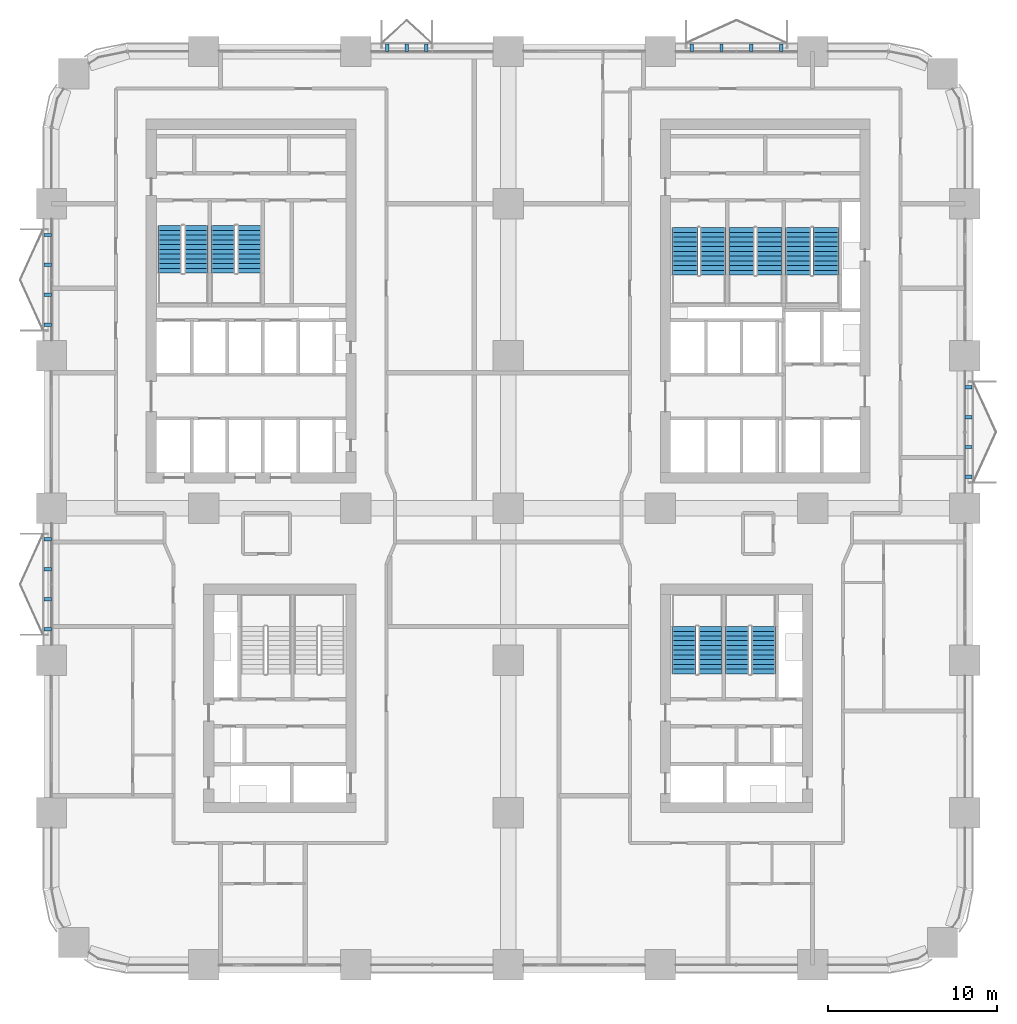
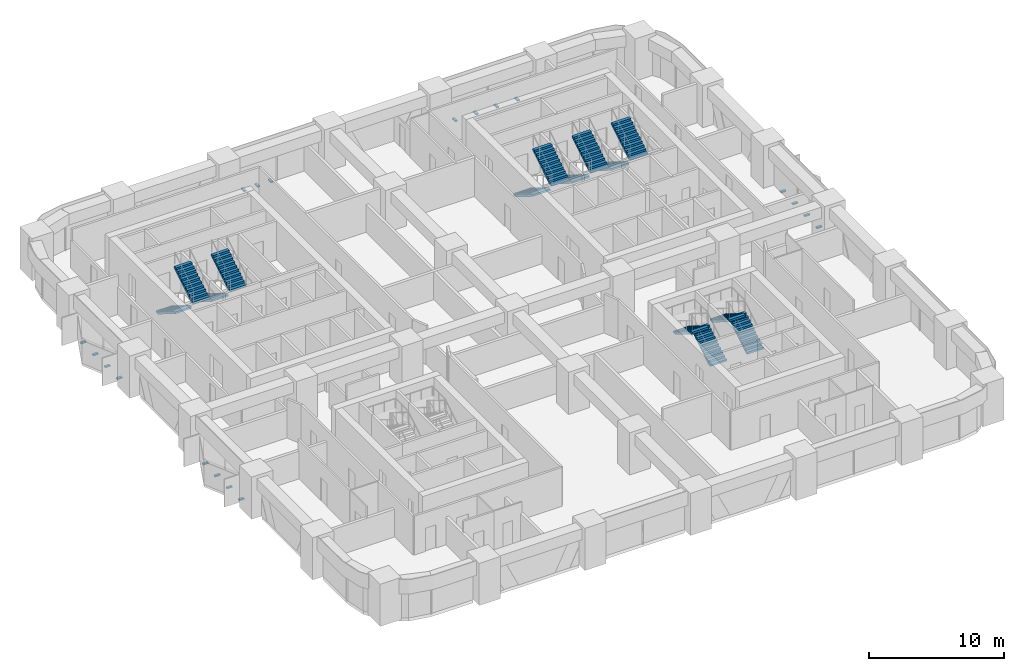
# One storey, part 18 of 21: 19 discrete accessories, 14 stair flights, 7 elements without a shape of their own.
"""IFC4 building model written with IfcOpenShell, lengths in metres."""

from ifc_helpers import new_model, si_unit, direction, frame, origin, origin_2d, place, context, subcontext, project, spatial, polyline, rectangle, outline, extrude, material, type_object, element, aggregate, save


model = new_model("IFC4")

# Units and contexts
model_context = context("Model", 3, precision=1e-05, world=origin(), true_north=direction((0.0, 1.0)))
body_context = subcontext(model_context, "Body", "Model", "MODEL_VIEW")
ifc_project = project(units=[si_unit("LENGTHUNIT", "METRE"), si_unit("AREAUNIT", "SQUARE_METRE"), si_unit("VOLUMEUNIT", "CUBIC_METRE"), si_unit("PLANEANGLEUNIT", "RADIAN"), si_unit("MASSUNIT", "GRAM", prefix="KILO")], contexts=[model_context])

# Site, building, storey
site_placement = place(None, origin())
site = spatial("IfcSite", under=ifc_project, at=site_placement, CompositionType="ELEMENT")
building_placement = place(site_placement, origin())
building = spatial("IfcBuilding", under=site, at=building_placement, Name="Tessera Arch", CompositionType="ELEMENT")
storey_placement = place(building_placement, frame((0.0, 0.0, 42.39990234375)))
storey = spatial("IfcBuildingStorey", under=building, at=storey_placement, Name="L08", CompositionType="ELEMENT", Elevation=42.39990234375)

# Stair, stair flights
ifc_material_1 = material(Name="Concrete C40/50", Category="concrete")
stair_type_1 = type_object("IfcStairType", Name="Dogleg stair 1400", PredefinedType="HALF_TURN_STAIR", material=ifc_material_1)
stair_1_placement = place(storey_placement, origin())
stair_1 = element("IfcStair", 1, at=stair_1_placement, inside=storey, type_object=stair_type_1, Name="L08 S2a", PredefinedType="HALF_TURN_STAIR")
ifc_material_2 = material(Name="Concrete C40/50", Category="concrete")
stair_flight_type_1 = type_object("IfcStairFlightType", Name="Stair flight 1400", PredefinedType="STRAIGHT", material=ifc_material_2)
stair_flight_1_placement = place(storey_placement, frame((7.0, 43.699951171875, 0.0), z_axis=(0.0, 0.0, 1.0), x_axis=(0.0, -1.0, 0.0)))
stair_flight_1 = element("IfcStairFlight", 2, at=stair_flight_1_placement, type_object=stair_flight_type_1, Name="S2a flight 1", NumberOfRisers=11, NumberOfTreads=10, PredefinedType="STRAIGHT", RiserHeight=0.172727273, TreadLength=0.28, context=body_context, shape_type="SweptSolid", body=[
    extrude(outline(polyline([(0.0, 0.0), (0.0, 0.172607421875), (0.280029296875, 0.172607421875), (0.280029296875, 0.345458984375), (0.56005859375, 0.345458984375), (0.56005859375, 0.51806640625), (0.840087890625, 0.51806640625), (0.840087890625, 0.69091796875), (1.1201171875, 0.69091796875), (1.1201171875, 0.863525390625), (1.39990234375, 0.863525390625), (1.39990234375, 1.036376953125), (1.679931640625, 1.036376953125), (1.679931640625, 1.208984375), (1.9599609375, 1.208984375), (1.9599609375, 1.3818359375), (2.239990234375, 1.3818359375), (2.239990234375, 1.554443359375), (2.52001953125, 1.554443359375), (2.52001953125, 1.727294921875), (2.800048828125, 1.727294921875), (2.800048828125, 1.89990234375), (2.800048828125, 1.551025390625), (0.285400390625, 0.0), (0.0, 0.0)])), frame((0.0, 0.699951171875, 0.0), z_axis=(0.0, -1.0, 0.0), x_axis=(1.0, 0.0, 0.0)), (0.0, 0.0, 1.0), 1.39990234375),
])
stair_flight_2_placement = place(storey_placement, frame((8.550048828125, 40.89990234375, 1.900146484375), z_axis=(0.0, 0.0, 1.0), x_axis=(0.0, 1.0, 0.0)))
stair_flight_2 = element("IfcStairFlight", 3, at=stair_flight_2_placement, type_object=stair_flight_type_1, Name="S2a flight 2", NumberOfRisers=11, NumberOfTreads=10, PredefinedType="STRAIGHT", RiserHeight=0.172727273, TreadLength=0.28, context=body_context, shape_type="SweptSolid", body=[
    extrude(outline(polyline([(0.0, 0.0), (0.0, 0.172607421875), (0.280029296875, 0.172607421875), (0.280029296875, 0.345458984375), (0.56005859375, 0.345458984375), (0.56005859375, 0.51806640625), (0.840087890625, 0.51806640625), (0.840087890625, 0.69091796875), (1.1201171875, 0.69091796875), (1.1201171875, 0.863525390625), (1.39990234375, 0.863525390625), (1.39990234375, 1.036376953125), (1.679931640625, 1.036376953125), (1.679931640625, 1.208984375), (1.9599609375, 1.208984375), (1.9599609375, 1.3818359375), (2.239990234375, 1.3818359375), (2.239990234375, 1.554443359375), (2.52001953125, 1.554443359375), (2.52001953125, 1.727294921875), (2.800048828125, 1.727294921875), (2.800048828125, 1.89990234375), (2.800048828125, 1.551025390625), (0.285400390625, 0.0), (0.0, 0.0)])), frame((0.0, 0.699951171875, 0.0), z_axis=(0.0, -1.0, 0.0), x_axis=(1.0, 0.0, 0.0)), (0.0, 0.0, 1.0), 1.39990234375),
])
aggregate(stair_1, [stair_flight_1, stair_flight_2])

stair_2_placement = place(storey_placement, origin())
stair_2 = element("IfcStair", 4, at=stair_2_placement, inside=storey, type_object=stair_type_1, Name="L08 S2b", PredefinedType="HALF_TURN_STAIR")
stair_flight_3_placement = place(storey_placement, frame((10.14990234375, 43.699951171875, 0.0), z_axis=(0.0, 0.0, 1.0), x_axis=(0.0, -1.0, 0.0)))
stair_flight_3 = element("IfcStairFlight", 5, at=stair_flight_3_placement, type_object=stair_flight_type_1, Name="S2b flight 1", NumberOfRisers=11, NumberOfTreads=10, PredefinedType="STRAIGHT", RiserHeight=0.172727273, TreadLength=0.28, context=body_context, shape_type="SweptSolid", body=[
    extrude(outline(polyline([(0.0, 0.0), (0.0, 0.172607421875), (0.280029296875, 0.172607421875), (0.280029296875, 0.345458984375), (0.56005859375, 0.345458984375), (0.56005859375, 0.51806640625), (0.840087890625, 0.51806640625), (0.840087890625, 0.69091796875), (1.1201171875, 0.69091796875), (1.1201171875, 0.863525390625), (1.39990234375, 0.863525390625), (1.39990234375, 1.036376953125), (1.679931640625, 1.036376953125), (1.679931640625, 1.208984375), (1.9599609375, 1.208984375), (1.9599609375, 1.3818359375), (2.239990234375, 1.3818359375), (2.239990234375, 1.554443359375), (2.52001953125, 1.554443359375), (2.52001953125, 1.727294921875), (2.800048828125, 1.727294921875), (2.800048828125, 1.89990234375), (2.800048828125, 1.551025390625), (0.285400390625, 0.0), (0.0, 0.0)])), frame((0.0, 0.699951171875, 0.0), z_axis=(0.0, -1.0, 0.0), x_axis=(1.0, 0.0, 0.0)), (0.0, 0.0, 1.0), 1.39990234375),
])
stair_flight_4_placement = place(storey_placement, frame((11.699951171875, 40.89990234375, 1.900146484375), z_axis=(0.0, 0.0, 1.0), x_axis=(0.0, 1.0, 0.0)))
stair_flight_4 = element("IfcStairFlight", 6, at=stair_flight_4_placement, type_object=stair_flight_type_1, Name="S2b flight 2", NumberOfRisers=11, NumberOfTreads=10, PredefinedType="STRAIGHT", RiserHeight=0.172727273, TreadLength=0.28, context=body_context, shape_type="SweptSolid", body=[
    extrude(outline(polyline([(0.0, 0.0), (0.0, 0.172607421875), (0.280029296875, 0.172607421875), (0.280029296875, 0.345458984375), (0.56005859375, 0.345458984375), (0.56005859375, 0.51806640625), (0.840087890625, 0.51806640625), (0.840087890625, 0.69091796875), (1.1201171875, 0.69091796875), (1.1201171875, 0.863525390625), (1.39990234375, 0.863525390625), (1.39990234375, 1.036376953125), (1.679931640625, 1.036376953125), (1.679931640625, 1.208984375), (1.9599609375, 1.208984375), (1.9599609375, 1.3818359375), (2.239990234375, 1.3818359375), (2.239990234375, 1.554443359375), (2.52001953125, 1.554443359375), (2.52001953125, 1.727294921875), (2.800048828125, 1.727294921875), (2.800048828125, 1.89990234375), (2.800048828125, 1.551025390625), (0.285400390625, 0.0), (0.0, 0.0)])), frame((0.0, 0.699951171875, 0.0), z_axis=(0.0, -1.0, 0.0), x_axis=(1.0, 0.0, 0.0)), (0.0, 0.0, 1.0), 1.39990234375),
])
aggregate(stair_2, [stair_flight_3, stair_flight_4])

stair_3_placement = place(storey_placement, origin())
stair_3 = element("IfcStair", 7, at=stair_3_placement, inside=storey, type_object=stair_type_1, Name="L08 S3a", PredefinedType="HALF_TURN_STAIR")
stair_flight_5_placement = place(storey_placement, frame((38.949951171875, 17.199951171875, 0.0), z_axis=(0.0, 0.0, 1.0), x_axis=(0.0, 1.0, 0.0)))
stair_flight_5 = element("IfcStairFlight", 8, at=stair_flight_5_placement, type_object=stair_flight_type_1, Name="S3a flight 1", NumberOfRisers=11, NumberOfTreads=10, PredefinedType="STRAIGHT", RiserHeight=0.172727273, TreadLength=0.28, context=body_context, shape_type="SweptSolid", body=[
    extrude(outline(polyline([(0.0, 0.0), (0.0, 0.172607421875), (0.280029296875, 0.172607421875), (0.280029296875, 0.345458984375), (0.56005859375, 0.345458984375), (0.56005859375, 0.51806640625), (0.840087890625, 0.51806640625), (0.840087890625, 0.69091796875), (1.1201171875, 0.69091796875), (1.1201171875, 0.863525390625), (1.39990234375, 0.863525390625), (1.39990234375, 1.036376953125), (1.679931640625, 1.036376953125), (1.679931640625, 1.208984375), (1.9599609375, 1.208984375), (1.9599609375, 1.3818359375), (2.239990234375, 1.3818359375), (2.239990234375, 1.554443359375), (2.52001953125, 1.554443359375), (2.52001953125, 1.727294921875), (2.800048828125, 1.727294921875), (2.800048828125, 1.89990234375), (2.800048828125, 1.551025390625), (0.285400390625, 0.0), (0.0, 0.0)])), frame((0.0, 0.699951171875, 0.0), z_axis=(0.0, -1.0, 0.0), x_axis=(1.0, 0.0, 0.0)), (0.0, 0.0, 1.0), 1.39990234375),
])
stair_flight_6_placement = place(storey_placement, frame((37.39990234375, 20.0, 1.900146484375), z_axis=(0.0, 0.0, 1.0), x_axis=(0.0, -1.0, 0.0)))
stair_flight_6 = element("IfcStairFlight", 9, at=stair_flight_6_placement, type_object=stair_flight_type_1, Name="S3a flight 2", NumberOfRisers=11, NumberOfTreads=10, PredefinedType="STRAIGHT", RiserHeight=0.172727273, TreadLength=0.28, context=body_context, shape_type="SweptSolid", body=[
    extrude(outline(polyline([(0.0, 0.0), (0.0, 0.172607421875), (0.280029296875, 0.172607421875), (0.280029296875, 0.345458984375), (0.56005859375, 0.345458984375), (0.56005859375, 0.51806640625), (0.840087890625, 0.51806640625), (0.840087890625, 0.69091796875), (1.1201171875, 0.69091796875), (1.1201171875, 0.863525390625), (1.39990234375, 0.863525390625), (1.39990234375, 1.036376953125), (1.679931640625, 1.036376953125), (1.679931640625, 1.208984375), (1.9599609375, 1.208984375), (1.9599609375, 1.3818359375), (2.239990234375, 1.3818359375), (2.239990234375, 1.554443359375), (2.52001953125, 1.554443359375), (2.52001953125, 1.727294921875), (2.800048828125, 1.727294921875), (2.800048828125, 1.89990234375), (2.800048828125, 1.551025390625), (0.285400390625, 0.0), (0.0, 0.0)])), frame((0.0, 0.699951171875, 0.0), z_axis=(0.0, -1.0, 0.0), x_axis=(1.0, 0.0, 0.0)), (0.0, 0.0, 1.0), 1.39990234375),
])
aggregate(stair_3, [stair_flight_5, stair_flight_6])

stair_4_placement = place(storey_placement, origin())
stair_4 = element("IfcStair", 10, at=stair_4_placement, inside=storey, type_object=stair_type_1, Name="L08 S3b", PredefinedType="HALF_TURN_STAIR")
stair_flight_7_placement = place(storey_placement, frame((42.10009765625, 17.199951171875, 0.0), z_axis=(0.0, 0.0, 1.0), x_axis=(0.0, 1.0, 0.0)))
stair_flight_7 = element("IfcStairFlight", 11, at=stair_flight_7_placement, type_object=stair_flight_type_1, Name="S3b flight 1", NumberOfRisers=11, NumberOfTreads=10, PredefinedType="STRAIGHT", RiserHeight=0.172727273, TreadLength=0.28, context=body_context, shape_type="SweptSolid", body=[
    extrude(outline(polyline([(0.0, 0.0), (0.0, 0.172607421875), (0.280029296875, 0.172607421875), (0.280029296875, 0.345458984375), (0.56005859375, 0.345458984375), (0.56005859375, 0.51806640625), (0.840087890625, 0.51806640625), (0.840087890625, 0.69091796875), (1.1201171875, 0.69091796875), (1.1201171875, 0.863525390625), (1.39990234375, 0.863525390625), (1.39990234375, 1.036376953125), (1.679931640625, 1.036376953125), (1.679931640625, 1.208984375), (1.9599609375, 1.208984375), (1.9599609375, 1.3818359375), (2.239990234375, 1.3818359375), (2.239990234375, 1.554443359375), (2.52001953125, 1.554443359375), (2.52001953125, 1.727294921875), (2.800048828125, 1.727294921875), (2.800048828125, 1.89990234375), (2.800048828125, 1.551025390625), (0.285400390625, 0.0), (0.0, 0.0)])), frame((0.0, 0.699951171875, 0.0), z_axis=(0.0, -1.0, 0.0), x_axis=(1.0, 0.0, 0.0)), (0.0, 0.0, 1.0), 1.39990234375),
])
stair_flight_8_placement = place(storey_placement, frame((40.550048828125, 20.0, 1.900146484375), z_axis=(0.0, 0.0, 1.0), x_axis=(0.0, -1.0, 0.0)))
stair_flight_8 = element("IfcStairFlight", 12, at=stair_flight_8_placement, type_object=stair_flight_type_1, Name="S3b flight 2", NumberOfRisers=11, NumberOfTreads=10, PredefinedType="STRAIGHT", RiserHeight=0.172727273, TreadLength=0.28, context=body_context, shape_type="SweptSolid", body=[
    extrude(outline(polyline([(0.0, 0.0), (0.0, 0.172607421875), (0.280029296875, 0.172607421875), (0.280029296875, 0.345458984375), (0.56005859375, 0.345458984375), (0.56005859375, 0.51806640625), (0.840087890625, 0.51806640625), (0.840087890625, 0.69091796875), (1.1201171875, 0.69091796875), (1.1201171875, 0.863525390625), (1.39990234375, 0.863525390625), (1.39990234375, 1.036376953125), (1.679931640625, 1.036376953125), (1.679931640625, 1.208984375), (1.9599609375, 1.208984375), (1.9599609375, 1.3818359375), (2.239990234375, 1.3818359375), (2.239990234375, 1.554443359375), (2.52001953125, 1.554443359375), (2.52001953125, 1.727294921875), (2.800048828125, 1.727294921875), (2.800048828125, 1.89990234375), (2.800048828125, 1.551025390625), (0.285400390625, 0.0), (0.0, 0.0)])), frame((0.0, 0.699951171875, 0.0), z_axis=(0.0, -1.0, 0.0), x_axis=(1.0, 0.0, 0.0)), (0.0, 0.0, 1.0), 1.39990234375),
])
aggregate(stair_4, [stair_flight_7, stair_flight_8])

ifc_material_3 = material(Name="Concrete C40/50", Category="concrete")
stair_type_2 = type_object("IfcStairType", Name="Dogleg stair 1520", PredefinedType="HALF_TURN_STAIR", material=ifc_material_3)
stair_5_placement = place(storey_placement, origin())
stair_5 = element("IfcStair", 13, at=stair_5_placement, inside=storey, type_object=stair_type_2, Name="L08 S1a", PredefinedType="HALF_TURN_STAIR")
ifc_material_4 = material(Name="Concrete C40/50", Category="concrete")
stair_flight_type_2 = type_object("IfcStairFlightType", Name="Stair flight 1520", PredefinedType="STRAIGHT", material=ifc_material_4)
stair_flight_9_placement = place(storey_placement, frame((37.4599609375, 43.580078125, 0.0), z_axis=(0.0, 0.0, 1.0), x_axis=(0.0, -1.0, 0.0)))
stair_flight_9 = element("IfcStairFlight", 14, at=stair_flight_9_placement, type_object=stair_flight_type_2, Name="S1a flight 1", NumberOfRisers=11, NumberOfTreads=10, PredefinedType="STRAIGHT", RiserHeight=0.172727273, TreadLength=0.28, context=body_context, shape_type="SweptSolid", body=[
    extrude(outline(polyline([(0.0, 0.0), (0.0, 0.172607421875), (0.280029296875, 0.172607421875), (0.280029296875, 0.345458984375), (0.56005859375, 0.345458984375), (0.56005859375, 0.51806640625), (0.840087890625, 0.51806640625), (0.840087890625, 0.69091796875), (1.1201171875, 0.69091796875), (1.1201171875, 0.863525390625), (1.39990234375, 0.863525390625), (1.39990234375, 1.036376953125), (1.679931640625, 1.036376953125), (1.679931640625, 1.208984375), (1.9599609375, 1.208984375), (1.9599609375, 1.3818359375), (2.239990234375, 1.3818359375), (2.239990234375, 1.554443359375), (2.52001953125, 1.554443359375), (2.52001953125, 1.727294921875), (2.800048828125, 1.727294921875), (2.800048828125, 1.89990234375), (2.800048828125, 1.551025390625), (0.285400390625, 0.0), (0.0, 0.0)])), frame((0.0, 0.760009765625, 0.0), z_axis=(0.0, -1.0, 0.0), x_axis=(1.0, 0.0, 0.0)), (0.0, 0.0, 1.0), 1.52001953125),
])
stair_flight_10_placement = place(storey_placement, frame((39.090087890625, 40.780029296875, 1.900146484375), z_axis=(0.0, 0.0, 1.0), x_axis=(0.0, 1.0, 0.0)))
stair_flight_10 = element("IfcStairFlight", 15, at=stair_flight_10_placement, type_object=stair_flight_type_2, Name="S1a flight 2", NumberOfRisers=11, NumberOfTreads=10, PredefinedType="STRAIGHT", RiserHeight=0.172727273, TreadLength=0.28, context=body_context, shape_type="SweptSolid", body=[
    extrude(outline(polyline([(0.0, 0.0), (0.0, 0.172607421875), (0.280029296875, 0.172607421875), (0.280029296875, 0.345458984375), (0.56005859375, 0.345458984375), (0.56005859375, 0.51806640625), (0.840087890625, 0.51806640625), (0.840087890625, 0.69091796875), (1.1201171875, 0.69091796875), (1.1201171875, 0.863525390625), (1.39990234375, 0.863525390625), (1.39990234375, 1.036376953125), (1.679931640625, 1.036376953125), (1.679931640625, 1.208984375), (1.9599609375, 1.208984375), (1.9599609375, 1.3818359375), (2.239990234375, 1.3818359375), (2.239990234375, 1.554443359375), (2.52001953125, 1.554443359375), (2.52001953125, 1.727294921875), (2.800048828125, 1.727294921875), (2.800048828125, 1.89990234375), (2.800048828125, 1.551025390625), (0.285400390625, 0.0), (0.0, 0.0)])), frame((0.0, 0.760009765625, 0.0), z_axis=(0.0, -1.0, 0.0), x_axis=(1.0, 0.0, 0.0)), (0.0, 0.0, 1.0), 1.52001953125),
])
aggregate(stair_5, [stair_flight_9, stair_flight_10])

stair_6_placement = place(storey_placement, origin())
stair_6 = element("IfcStair", 16, at=stair_6_placement, inside=storey, type_object=stair_type_2, Name="L08 S1b", PredefinedType="HALF_TURN_STAIR")
stair_flight_11_placement = place(storey_placement, frame((40.81005859375, 43.580078125, 0.0), z_axis=(0.0, 0.0, 1.0), x_axis=(0.0, -1.0, 0.0)))
stair_flight_11 = element("IfcStairFlight", 17, at=stair_flight_11_placement, type_object=stair_flight_type_2, Name="S1b flight 1", NumberOfRisers=11, NumberOfTreads=10, PredefinedType="STRAIGHT", RiserHeight=0.172727273, TreadLength=0.28, context=body_context, shape_type="SweptSolid", body=[
    extrude(outline(polyline([(0.0, 0.0), (0.0, 0.172607421875), (0.280029296875, 0.172607421875), (0.280029296875, 0.345458984375), (0.56005859375, 0.345458984375), (0.56005859375, 0.51806640625), (0.840087890625, 0.51806640625), (0.840087890625, 0.69091796875), (1.1201171875, 0.69091796875), (1.1201171875, 0.863525390625), (1.39990234375, 0.863525390625), (1.39990234375, 1.036376953125), (1.679931640625, 1.036376953125), (1.679931640625, 1.208984375), (1.9599609375, 1.208984375), (1.9599609375, 1.3818359375), (2.239990234375, 1.3818359375), (2.239990234375, 1.554443359375), (2.52001953125, 1.554443359375), (2.52001953125, 1.727294921875), (2.800048828125, 1.727294921875), (2.800048828125, 1.89990234375), (2.800048828125, 1.551025390625), (0.285400390625, 0.0), (0.0, 0.0)])), frame((0.0, 0.760009765625, 0.0), z_axis=(0.0, -1.0, 0.0), x_axis=(1.0, 0.0, 0.0)), (0.0, 0.0, 1.0), 1.52001953125),
])
stair_flight_12_placement = place(storey_placement, frame((42.43994140625, 40.780029296875, 1.900146484375), z_axis=(0.0, 0.0, 1.0), x_axis=(0.0, 1.0, 0.0)))
stair_flight_12 = element("IfcStairFlight", 18, at=stair_flight_12_placement, type_object=stair_flight_type_2, Name="S1b flight 2", NumberOfRisers=11, NumberOfTreads=10, PredefinedType="STRAIGHT", RiserHeight=0.172727273, TreadLength=0.28, context=body_context, shape_type="SweptSolid", body=[
    extrude(outline(polyline([(0.0, 0.0), (0.0, 0.172607421875), (0.280029296875, 0.172607421875), (0.280029296875, 0.345458984375), (0.56005859375, 0.345458984375), (0.56005859375, 0.51806640625), (0.840087890625, 0.51806640625), (0.840087890625, 0.69091796875), (1.1201171875, 0.69091796875), (1.1201171875, 0.863525390625), (1.39990234375, 0.863525390625), (1.39990234375, 1.036376953125), (1.679931640625, 1.036376953125), (1.679931640625, 1.208984375), (1.9599609375, 1.208984375), (1.9599609375, 1.3818359375), (2.239990234375, 1.3818359375), (2.239990234375, 1.554443359375), (2.52001953125, 1.554443359375), (2.52001953125, 1.727294921875), (2.800048828125, 1.727294921875), (2.800048828125, 1.89990234375), (2.800048828125, 1.551025390625), (0.285400390625, 0.0), (0.0, 0.0)])), frame((0.0, 0.760009765625, 0.0), z_axis=(0.0, -1.0, 0.0), x_axis=(1.0, 0.0, 0.0)), (0.0, 0.0, 1.0), 1.52001953125),
])
aggregate(stair_6, [stair_flight_11, stair_flight_12])

stair_7_placement = place(storey_placement, origin())
stair_7 = element("IfcStair", 19, at=stair_7_placement, inside=storey, type_object=stair_type_2, Name="L08 S1c", PredefinedType="HALF_TURN_STAIR")
stair_flight_13_placement = place(storey_placement, frame((44.159912109375, 43.580078125, 0.0), z_axis=(0.0, 0.0, 1.0), x_axis=(0.0, -1.0, 0.0)))
stair_flight_13 = element("IfcStairFlight", 20, at=stair_flight_13_placement, type_object=stair_flight_type_2, Name="S1c flight 1", NumberOfRisers=11, NumberOfTreads=10, PredefinedType="STRAIGHT", RiserHeight=0.172727273, TreadLength=0.28, context=body_context, shape_type="SweptSolid", body=[
    extrude(outline(polyline([(0.0, 0.0), (0.0, 0.172607421875), (0.280029296875, 0.172607421875), (0.280029296875, 0.345458984375), (0.56005859375, 0.345458984375), (0.56005859375, 0.51806640625), (0.840087890625, 0.51806640625), (0.840087890625, 0.69091796875), (1.1201171875, 0.69091796875), (1.1201171875, 0.863525390625), (1.39990234375, 0.863525390625), (1.39990234375, 1.036376953125), (1.679931640625, 1.036376953125), (1.679931640625, 1.208984375), (1.9599609375, 1.208984375), (1.9599609375, 1.3818359375), (2.239990234375, 1.3818359375), (2.239990234375, 1.554443359375), (2.52001953125, 1.554443359375), (2.52001953125, 1.727294921875), (2.800048828125, 1.727294921875), (2.800048828125, 1.89990234375), (2.800048828125, 1.551025390625), (0.285400390625, 0.0), (0.0, 0.0)])), frame((0.0, 0.760009765625, 0.0), z_axis=(0.0, -1.0, 0.0), x_axis=(1.0, 0.0, 0.0)), (0.0, 0.0, 1.0), 1.52001953125),
])
stair_flight_14_placement = place(storey_placement, frame((45.7900390625, 40.780029296875, 1.900146484375), z_axis=(0.0, 0.0, 1.0), x_axis=(0.0, 1.0, 0.0)))
stair_flight_14 = element("IfcStairFlight", 21, at=stair_flight_14_placement, type_object=stair_flight_type_2, Name="S1c flight 2", NumberOfRisers=11, NumberOfTreads=10, PredefinedType="STRAIGHT", RiserHeight=0.172727273, TreadLength=0.28, context=body_context, shape_type="SweptSolid", body=[
    extrude(outline(polyline([(0.0, 0.0), (0.0, 0.172607421875), (0.280029296875, 0.172607421875), (0.280029296875, 0.345458984375), (0.56005859375, 0.345458984375), (0.56005859375, 0.51806640625), (0.840087890625, 0.51806640625), (0.840087890625, 0.69091796875), (1.1201171875, 0.69091796875), (1.1201171875, 0.863525390625), (1.39990234375, 0.863525390625), (1.39990234375, 1.036376953125), (1.679931640625, 1.036376953125), (1.679931640625, 1.208984375), (1.9599609375, 1.208984375), (1.9599609375, 1.3818359375), (2.239990234375, 1.3818359375), (2.239990234375, 1.554443359375), (2.52001953125, 1.554443359375), (2.52001953125, 1.727294921875), (2.800048828125, 1.727294921875), (2.800048828125, 1.89990234375), (2.800048828125, 1.551025390625), (0.285400390625, 0.0), (0.0, 0.0)])), frame((0.0, 0.760009765625, 0.0), z_axis=(0.0, -1.0, 0.0), x_axis=(1.0, 0.0, 0.0)), (0.0, 0.0, 1.0), 1.52001953125),
])
aggregate(stair_7, [stair_flight_13, stair_flight_14])

# Discrete accessories
for number, where, z_axis, x_axis, name in (
    (22, (22.14990234375, 54.219970703125, -0.119873046875), (0.0, 0.0, 1.0), (0.0, 1.0, 0.0), "Window box bracket"),
    (23, (21.0, 54.219970703125, -0.119873046875), (0.0, 0.0, 1.0), (0.0, 1.0, 0.0), "Window box bracket"),
    (24, (19.85009765625, 54.219970703125, -0.119873046875), (0.0, 0.0, 1.0), (0.0, 1.0, 0.0), "Window box bracket"),
    (25, (43.14990234375, 54.219970703125, -0.119873046875), (0.0, 0.0, 1.0), (0.0, 1.0, 0.0), "Window box bracket"),
    (26, (41.38330078125, 54.219970703125, -0.119873046875), (0.0, 0.0, 1.0), (0.0, 1.0, 0.0), "Window box bracket"),
    (27, (39.61669921875, 54.219970703125, -0.119873046875), (0.0, 0.0, 1.0), (0.0, 1.0, 0.0), "Window box bracket"),
    (28, (37.85009765625, 54.219970703125, -0.119873046875), (0.0, 0.0, 1.0), (0.0, 1.0, 0.0), "Window box bracket"),
    (29, (-0.219970703125, 25.14990234375, -0.119873046875), (0.0, 0.0, 1.0), (-1.0, 0.0, 0.0), "Window box bracket"),
    (30, (-0.219970703125, 23.38330078125, -0.119873046875), (0.0, 0.0, 1.0), (-1.0, 0.0, 0.0), "Window box bracket"),
    (31, (-0.219970703125, 21.61669921875, -0.119873046875), (0.0, 0.0, 1.0), (-1.0, 0.0, 0.0), "Window box bracket"),
    (32, (-0.219970703125, 19.85009765625, -0.119873046875), (0.0, 0.0, 1.0), (-1.0, 0.0, 0.0), "Window box bracket"),
    (33, (-0.219970703125, 43.14990234375, -0.119873046875), (0.0, 0.0, 1.0), (-1.0, 0.0, 0.0), "Window box bracket"),
    (34, (-0.219970703125, 41.38330078125, -0.119873046875), (0.0, 0.0, 1.0), (-1.0, 0.0, 0.0), "Window box bracket"),
    (35, (-0.219970703125, 39.61669921875, -0.119873046875), (0.0, 0.0, 1.0), (-1.0, 0.0, 0.0), "Window box bracket"),
    (36, (-0.219970703125, 37.85009765625, -0.119873046875), (0.0, 0.0, 1.0), (-1.0, 0.0, 0.0), "Window box bracket"),
    (37, (54.219970703125, 28.85009765625, -0.119873046875), (0.0, 0.0, 1.0), (1.0, 0.0, 0.0), "Window box bracket"),
    (38, (54.219970703125, 30.61669921875, -0.119873046875), (0.0, 0.0, 1.0), (1.0, 0.0, 0.0), "Window box bracket"),
    (39, (54.219970703125, 32.38330078125, -0.119873046875), (0.0, 0.0, 1.0), (1.0, 0.0, 0.0), "Window box bracket"),
    (40, (54.219970703125, 34.14990234375, -0.119873046875), (0.0, 0.0, 1.0), (1.0, 0.0, 0.0), "Window box bracket"),
):
    element("IfcDiscreteAccessory", number, at=place(storey_placement, frame(where, z_axis=z_axis, x_axis=x_axis)), inside=storey, Name=name, PredefinedType="BRACKET", context=body_context, shape_type="SweptSolid", body=[
        extrude(rectangle(XDim=0.43994140625, YDim=0.199951171875, at=origin_2d()), origin(), (0.0, 0.0, 1.0), 0.1201171875),
    ])

save(model, "model.ifc")
